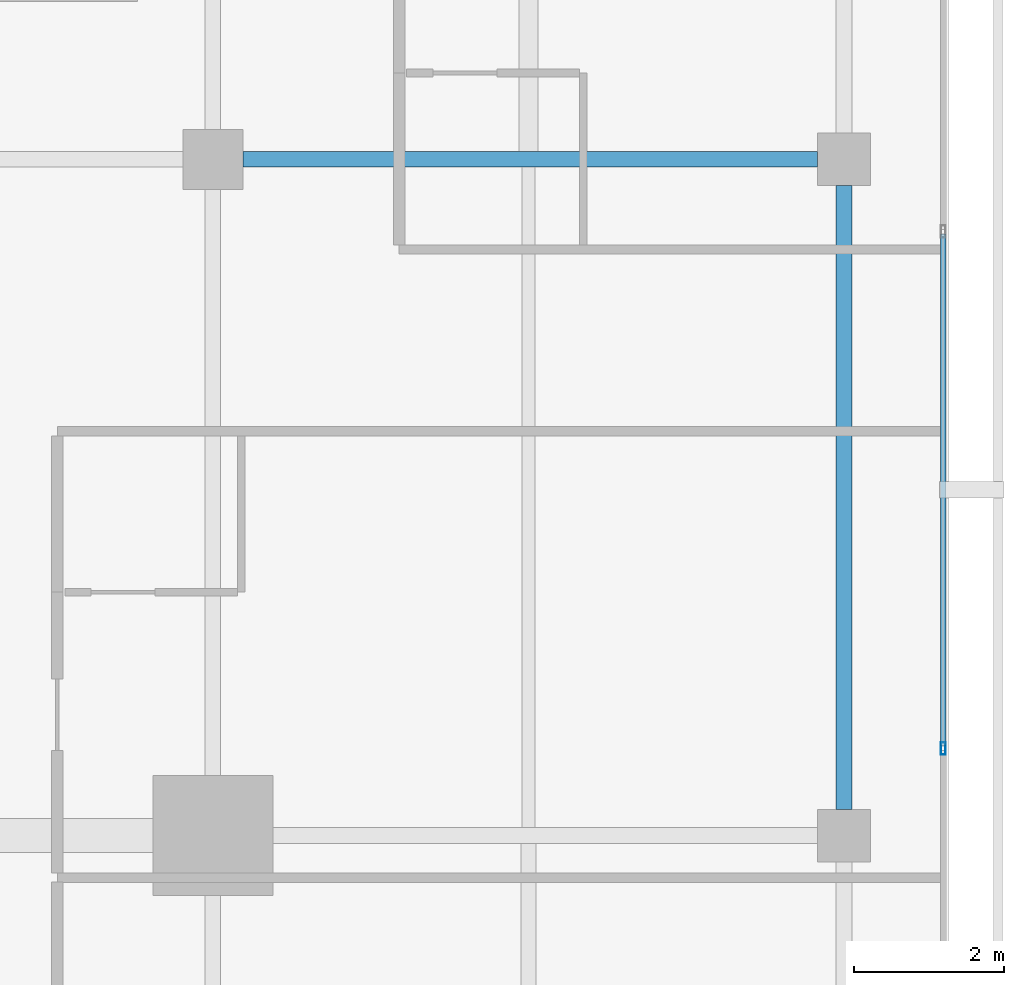
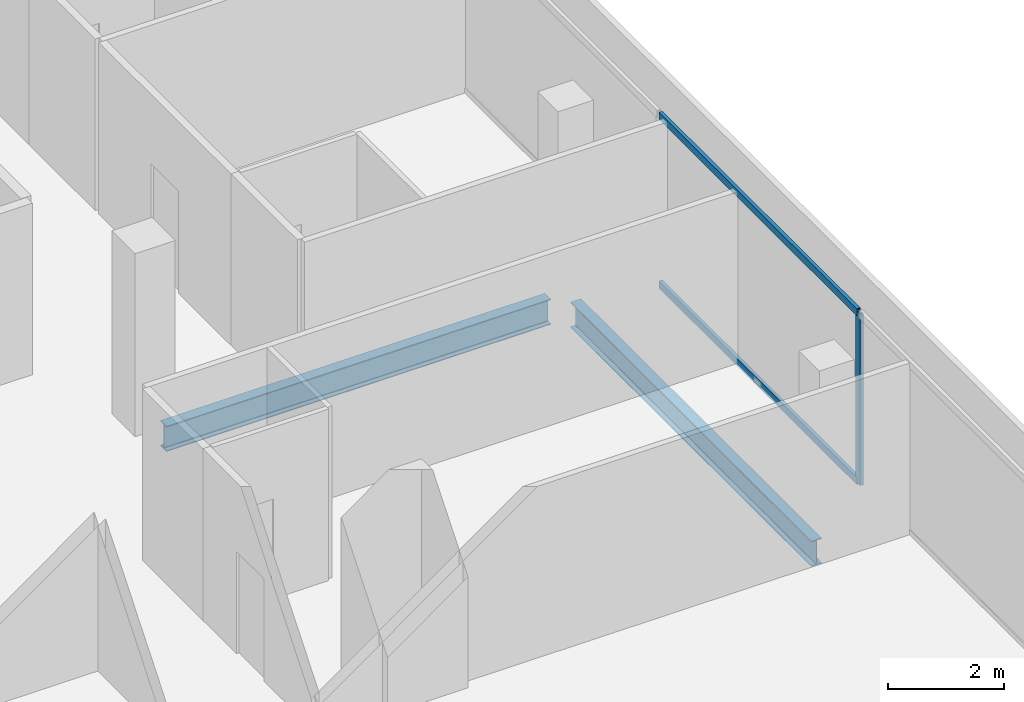
# One storey, part 14 of 25: 3 members, 2 beams, 1 element without a shape of its own.
"""IFC4 building model written with IfcOpenShell, lengths in metres."""

from ifc_helpers import new_model, si_unit, direction, frame, origin, origin_2d, place, context, subcontext, project, spatial, hollow_rectangle, i_section, extrude, material, layer, layer_set, material_profile, profile_set, type_object, element, aggregate, save


model = new_model("IFC4")

# Units and contexts
model_context = context("Model", 3, precision=1e-05, world=origin(), true_north=direction((0.0, 1.0)))
body_context = subcontext(model_context, "Body", "Model", "MODEL_VIEW")
ifc_project = project(units=[si_unit("LENGTHUNIT", "METRE"), si_unit("AREAUNIT", "SQUARE_METRE"), si_unit("VOLUMEUNIT", "CUBIC_METRE"), si_unit("PLANEANGLEUNIT", "RADIAN"), si_unit("MASSUNIT", "GRAM", prefix="KILO")], contexts=[model_context])

# Site, building, storey
site_placement = place(None, origin())
site = spatial("IfcSite", under=ifc_project, at=site_placement, CompositionType="ELEMENT")
building_placement = place(site_placement, origin())
building = spatial("IfcBuilding", under=site, at=building_placement, Name="Maruvema Waterfront Hotel and Observation Tower", CompositionType="ELEMENT")
storey_placement = place(building_placement, frame((0.0, 0.0, 262.5)))
storey = spatial("IfcBuildingStorey", under=building, at=storey_placement, Name="L64", CompositionType="ELEMENT", Elevation=262.5)

# Curtain wall, members
ifc_material_1 = material(Name="Anodised bronze aluminium and solar-control low-E IGU", Category="aluminium")
ifc_layer = layer(ifc_material_1, 0.159912109375, Name="Zone 3 Champagne Inner Thermal Curtain Wall System CW-04")
ifc_layer_set = layer_set([ifc_layer], Name="Anodised bronze aluminium and solar-control low-E IGU")
curtain_wall_type = type_object("IfcCurtainWallType", Name="Zone 3 Champagne Inner Thermal Curtain Wall System CW-04", PredefinedType="USERDEFINED", material=ifc_layer_set)
curtain_wall_placement = place(storey_placement, origin())
curtain_wall = element("IfcCurtainWall", 1, at=curtain_wall_placement, inside=storey, type_object=curtain_wall_type, Name="L64 Curtain Wall CW-L64-E", ObjectType="UNITISED CURTAIN WALL", PredefinedType="USERDEFINED")
ifc_material_2 = material(Name="Anodised architectural bronze aluminium", Category="aluminium")
ifc_material_profile_1 = material_profile(ifc_material_2, hollow_rectangle(XDim=0.070068359375, YDim=0.14990234375, WallThickness=0.00390625, at=origin_2d()), Name="ALU-T70x150")
ifc_profile_set_1 = profile_set([ifc_material_profile_1], Name="Anodised architectural bronze aluminium")
member_type_1 = type_object("IfcMemberType", Name="Curtain Wall Horizontal Transom ALU-T70x150", PredefinedType="USERDEFINED", material=ifc_profile_set_1)
member_1_placement = place(storey_placement, frame((60.1201171875, 28.18994140625, 0.030029296875), z_axis=(0.0, 1.0, 0.0), x_axis=(-1.0, 0.0, 0.0)))
member_1 = element("IfcMember", 2, at=member_1_placement, type_object=member_type_1, Name="CW-04 transom 3.1", ObjectType="TRANSOM", PredefinedType="USERDEFINED", context=body_context, shape_type="SweptSolid", body=[
    extrude(hollow_rectangle(XDim=0.070068359375, YDim=0.14990234375, WallThickness=0.00390625, at=origin_2d()), origin(), (0.0, 0.0, 1.0), 6.820068359375),
])
member_2_placement = place(storey_placement, frame((60.1201171875, 28.18994140625, 3.580078125), z_axis=(0.0, 1.0, 0.0), x_axis=(-1.0, 0.0, 0.0)))
member_2 = element("IfcMember", 3, at=member_2_placement, type_object=member_type_1, Name="CW-04 transom 3.2", ObjectType="TRANSOM", PredefinedType="USERDEFINED", context=body_context, shape_type="SweptSolid", body=[
    extrude(hollow_rectangle(XDim=0.070068359375, YDim=0.14990234375, WallThickness=0.00390625, at=origin_2d()), origin(), (0.0, 0.0, 1.0), 6.820068359375),
])
ifc_material_3 = material(Name="Anodised architectural bronze aluminium", Category="aluminium")
ifc_material_profile_2 = material_profile(ifc_material_3, hollow_rectangle(XDim=0.06494140625, YDim=0.1650390625, WallThickness=0.00390625, at=origin_2d()), Name="ALU-M65x165")
ifc_profile_set_2 = profile_set([ifc_material_profile_2], Name="Anodised architectural bronze aluminium")
member_type_2 = type_object("IfcMemberType", Name="Curtain Wall Primary Mullion ALU-M65x165", PredefinedType="MULLION", material=ifc_profile_set_2)
member_3_placement = place(storey_placement, frame((60.1201171875, 28.159912109375, 0.0), z_axis=(0.0, 0.0, 1.0), x_axis=(-1.0, 0.0, 0.0)))
member_3 = element("IfcMember", 4, at=member_3_placement, type_object=member_type_2, Name="CW-04 mullion 3", PredefinedType="MULLION", context=body_context, shape_type="SweptSolid", body=[
    extrude(hollow_rectangle(XDim=0.06494140625, YDim=0.1650390625, WallThickness=0.00390625, at=origin_2d()), origin(), (0.0, 0.0, 1.0), 3.610107421875),
])
aggregate(curtain_wall, [member_3, member_1, member_2])

# Beams
ifc_material_4 = material(Name="Steel ASTM A572 Grade 50", Category="steel")
ifc_material_profile_3 = material_profile(ifc_material_4, i_section(OverallWidth=0.208984375, OverallDepth=0.532958984375, WebThickness=0.01025390625, FlangeThickness=0.015625, FilletRadius=0.014892578125, at=origin_2d()), Name="W530x92.0")
ifc_profile_set_3 = profile_set([ifc_material_profile_3], Name="Steel ASTM A572 Grade 50")
beam_type = type_object("IfcBeamType", Name="Primary Floor Girder W530x92.0", PredefinedType="BEAM", material=ifc_profile_set_3)
beam_1_placement = place(storey_placement, frame((50.800048828125, 36.0, -0.506591796875), z_axis=(1.0, 0.0, 0.0), x_axis=(0.0, 1.0, 0.0)))
element("IfcBeam", 5, at=beam_1_placement, inside=storey, type_object=beam_type, Name="L64 Floor Girder EW-16", PredefinedType="BEAM", context=body_context, shape_type="SweptSolid", body=[
    extrude(i_section(OverallWidth=0.208984375, OverallDepth=0.532958984375, WebThickness=0.01025390625, FlangeThickness=0.015625, FilletRadius=0.014892578125, at=origin_2d()), origin(), (0.0, 0.0, 1.0), 7.64990234375),
])
beam_2_placement = place(storey_placement, frame((58.800048828125, 27.35009765625, -0.506591796875), z_axis=(0.0, 1.0, 0.0), x_axis=(-1.0, 0.0, 0.0)))
element("IfcBeam", 6, at=beam_2_placement, inside=storey, type_object=beam_type, Name="L64 Floor Girder NS-17", PredefinedType="BEAM", context=body_context, shape_type="SweptSolid", body=[
    extrude(i_section(OverallWidth=0.208984375, OverallDepth=0.532958984375, WebThickness=0.01025390625, FlangeThickness=0.015625, FilletRadius=0.014892578125, at=origin_2d()), origin(), (0.0, 0.0, 1.0), 8.2998046875),
])

save(model, "model.ifc")
